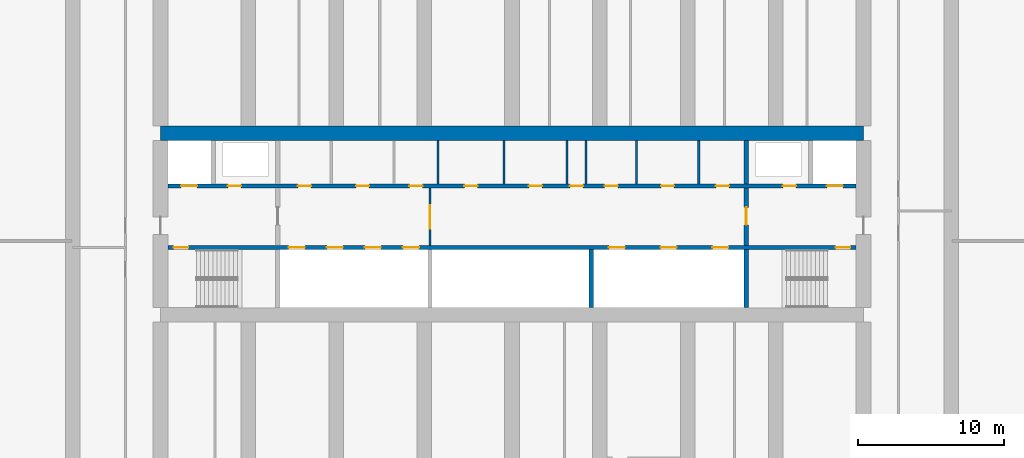
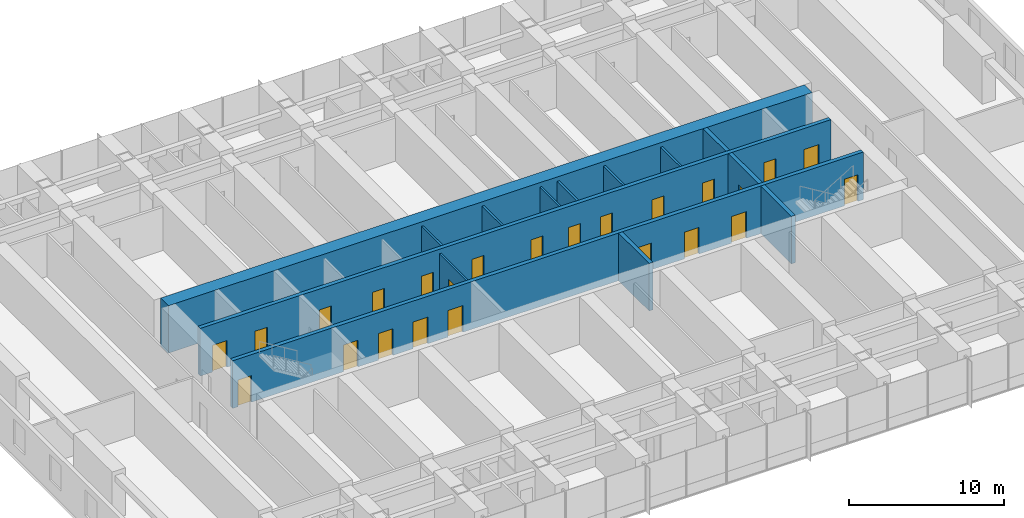
# One storey, part 13 of 23: 24 doors, 14 walls, 24 openings.
"""IFC4 building model written with IfcOpenShell, lengths in metres."""

from ifc_helpers import new_model, si_unit, direction, frame, frame_2d, origin, place, context, subcontext, project, spatial, rectangle, extrude, material, layer, layer_set, type_object, element, fill, save


model = new_model("IFC4")

# Units and contexts
model_context = context("Model", 3, precision=1e-05, world=origin(), true_north=direction((0.0, 1.0)))
body_context = subcontext(model_context, "Body", "Model", "MODEL_VIEW")
ifc_project = project(units=[si_unit("LENGTHUNIT", "METRE"), si_unit("AREAUNIT", "SQUARE_METRE"), si_unit("VOLUMEUNIT", "CUBIC_METRE"), si_unit("PLANEANGLEUNIT", "RADIAN"), si_unit("MASSUNIT", "GRAM", prefix="KILO")], contexts=[model_context])

# Site, building, storey
site_placement = place(None, origin())
site = spatial("IfcSite", under=ifc_project, at=site_placement, CompositionType="ELEMENT")
building_placement = place(site_placement, origin())
building = spatial("IfcBuilding", under=site, at=building_placement, Name="Orbita Commons", CompositionType="ELEMENT")
storey_placement = place(building_placement, frame((0.0, 0.0, 65.199951171875)))
storey = spatial("IfcBuildingStorey", under=building, at=storey_placement, Name="L16", CompositionType="ELEMENT", Elevation=65.199951171875)

# Wall, openings, doors
ifc_material_1 = material(Name="Concrete C50/60", Category="concrete")
ifc_layer_1 = layer(ifc_material_1, 0.300048828125)
ifc_layer_set_1 = layer_set([ifc_layer_1], Name="Concrete C50/60")
wall_type_1 = type_object("IfcWallType", Name="Core inner wall 300 C50/60", PredefinedType="SHEAR", material=ifc_layer_set_1)
wall_1_placement = place(storey_placement, frame((18.5, 30.39990234375, 0.0), z_axis=(0.0, 0.0, 1.0), x_axis=(1.0, 0.0, 0.0)))
wall_1 = element("IfcWall", 1, at=wall_1_placement, inside=storey, type_object=wall_type_1, Name="Lobby wall south L16", PredefinedType="SHEAR", context=body_context, shape_type="SweptSolid", body=[
    extrude(rectangle(XDim=47.0, YDim=0.300048828125, at=frame_2d((23.5, 0.0))), origin(), (0.0, 0.0, 1.0), 3.75),
])
opening_1_placement = place(wall_1_placement, frame((0.39990234375, 0.0, 0.0)))
opening_1 = element("IfcOpeningElement", 2, at=opening_1_placement, cuts=wall_1, Name="Opening D02", PredefinedType="OPENING", context=body_context, shape_type="SweptSolid", body=[
    extrude(rectangle(XDim=1.0, YDim=2.10009765625, at=frame_2d((0.5, 1.050048828125))), frame((0.0, 0.159912109375, 0.0), z_axis=(0.0, -1.0, 0.0), x_axis=(1.0, 0.0, 0.0)), (0.0, 0.0, 1.0), 0.320068359375),
])
opening_2_placement = place(wall_1_placement, frame((45.60009765625, 0.0, 0.0)))
opening_2 = element("IfcOpeningElement", 3, at=opening_2_placement, cuts=wall_1, Name="Opening D02", PredefinedType="OPENING", context=body_context, shape_type="SweptSolid", body=[
    extrude(rectangle(XDim=1.0, YDim=2.10009765625, at=frame_2d((0.5, 1.050048828125))), frame((0.0, 0.159912109375, 0.0), z_axis=(0.0, -1.0, 0.0), x_axis=(1.0, 0.0, 0.0)), (0.0, 0.0, 1.0), 0.320068359375),
])
opening_3_placement = place(wall_1_placement, frame((8.25, 0.0, 0.0)))
opening_3 = element("IfcOpeningElement", 4, at=opening_3_placement, cuts=wall_1, Name="Opening LD02", PredefinedType="OPENING", context=body_context, shape_type="SweptSolid", body=[
    extrude(rectangle(XDim=1.10009765625, YDim=2.10009765625, at=frame_2d((0.550048828125, 1.050048828125))), frame((0.0, 0.159912109375, 0.0), z_axis=(0.0, -1.0, 0.0), x_axis=(1.0, 0.0, 0.0)), (0.0, 0.0, 1.0), 0.320068359375),
])
opening_4_placement = place(wall_1_placement, frame((10.85009765625, 0.0, 0.0)))
opening_4 = element("IfcOpeningElement", 5, at=opening_4_placement, cuts=wall_1, Name="Opening LD02", PredefinedType="OPENING", context=body_context, shape_type="SweptSolid", body=[
    extrude(rectangle(XDim=1.10009765625, YDim=2.10009765625, at=frame_2d((0.550048828125, 1.050048828125))), frame((0.0, 0.159912109375, 0.0), z_axis=(0.0, -1.0, 0.0), x_axis=(1.0, 0.0, 0.0)), (0.0, 0.0, 1.0), 0.320068359375),
])
opening_5_placement = place(wall_1_placement, frame((13.449951171875, 0.0, 0.0)))
opening_5 = element("IfcOpeningElement", 6, at=opening_5_placement, cuts=wall_1, Name="Opening LD02", PredefinedType="OPENING", context=body_context, shape_type="SweptSolid", body=[
    extrude(rectangle(XDim=1.10009765625, YDim=2.10009765625, at=frame_2d((0.550048828125, 1.050048828125))), frame((0.0, 0.159912109375, 0.0), z_axis=(0.0, -1.0, 0.0), x_axis=(1.0, 0.0, 0.0)), (0.0, 0.0, 1.0), 0.320068359375),
])
opening_6_placement = place(wall_1_placement, frame((16.050048828125, 0.0, 0.0)))
opening_6 = element("IfcOpeningElement", 7, at=opening_6_placement, cuts=wall_1, Name="Opening LD02", PredefinedType="OPENING", context=body_context, shape_type="SweptSolid", body=[
    extrude(rectangle(XDim=1.10009765625, YDim=2.10009765625, at=frame_2d((0.550048828125, 1.050048828125))), frame((0.0, 0.159912109375, 0.0), z_axis=(0.0, -1.0, 0.0), x_axis=(1.0, 0.0, 0.0)), (0.0, 0.0, 1.0), 0.320068359375),
])
opening_7_placement = place(wall_1_placement, frame((30.11669921875, 0.0, 0.0)))
opening_7 = element("IfcOpeningElement", 8, at=opening_7_placement, cuts=wall_1, Name="Opening LD02", PredefinedType="OPENING", context=body_context, shape_type="SweptSolid", body=[
    extrude(rectangle(XDim=1.10009765625, YDim=2.10009765625, at=frame_2d((0.550048828125, 1.050048828125))), frame((0.0, 0.159912109375, 0.0), z_axis=(0.0, -1.0, 0.0), x_axis=(1.0, 0.0, 0.0)), (0.0, 0.0, 1.0), 0.320068359375),
])
opening_8_placement = place(wall_1_placement, frame((33.64990234375, 0.0, 0.0)))
opening_8 = element("IfcOpeningElement", 9, at=opening_8_placement, cuts=wall_1, Name="Opening LD02", PredefinedType="OPENING", context=body_context, shape_type="SweptSolid", body=[
    extrude(rectangle(XDim=1.10009765625, YDim=2.10009765625, at=frame_2d((0.550048828125, 1.050048828125))), frame((0.0, 0.159912109375, 0.0), z_axis=(0.0, -1.0, 0.0), x_axis=(1.0, 0.0, 0.0)), (0.0, 0.0, 1.0), 0.320068359375),
])
opening_9_placement = place(wall_1_placement, frame((37.183349609375, 0.0, 0.0)))
opening_9 = element("IfcOpeningElement", 10, at=opening_9_placement, cuts=wall_1, Name="Opening LD02", PredefinedType="OPENING", context=body_context, shape_type="SweptSolid", body=[
    extrude(rectangle(XDim=1.10009765625, YDim=2.10009765625, at=frame_2d((0.550048828125, 1.050048828125))), frame((0.0, 0.159912109375, 0.0), z_axis=(0.0, -1.0, 0.0), x_axis=(1.0, 0.0, 0.0)), (0.0, 0.0, 1.0), 0.320068359375),
])
ifc_material_2 = material(Name="Steel-faced fire door leaf", Category="steel")
door_type_1 = type_object("IfcDoorType", Name="Fire door 90 min 1000x2100", OperationType="SINGLE_SWING_LEFT", PredefinedType="DOOR", material=ifc_material_2)
door_1_placement = place(opening_1_placement, origin())
door_1 = element("IfcDoor", 11, at=door_1_placement, inside=storey, type_object=door_type_1, Name="Stair S1 door", OperationType="SINGLE_SWING_LEFT", OverallHeight=2.10009765625, OverallWidth=1.0, PredefinedType="DOOR", context=body_context, shape_type="SweptSolid", body=[
    extrude(rectangle(XDim=1.0, YDim=2.10009765625, at=frame_2d((0.5, 1.050048828125))), frame((0.0, 0.02490234375, 0.0), z_axis=(0.0, -1.0, 0.0), x_axis=(1.0, 0.0, 0.0)), (0.0, 0.0, 1.0), 0.050048828125),
])
fill(opening_1, door_1)
door_2_placement = place(opening_2_placement, origin())
door_2 = element("IfcDoor", 12, at=door_2_placement, inside=storey, type_object=door_type_1, Name="Stair S2 door", OperationType="SINGLE_SWING_LEFT", OverallHeight=2.10009765625, OverallWidth=1.0, PredefinedType="DOOR", context=body_context, shape_type="SweptSolid", body=[
    extrude(rectangle(XDim=1.0, YDim=2.10009765625, at=frame_2d((0.5, 1.050048828125))), frame((0.0, 0.02490234375, 0.0), z_axis=(0.0, -1.0, 0.0), x_axis=(1.0, 0.0, 0.0)), (0.0, 0.0, 1.0), 0.050048828125),
])
fill(opening_2, door_2)
ifc_material_3 = material(Name="Steel-faced fire door leaf", Category="steel")
door_type_2 = type_object("IfcDoorType", Name="Lift landing door 1100x2100", OperationType="DOUBLE_DOOR_SLIDING", PredefinedType="DOOR", material=ifc_material_3)
door_3_placement = place(opening_3_placement, origin())
door_3 = element("IfcDoor", 13, at=door_3_placement, inside=storey, type_object=door_type_2, Name="Lift P11 landing door", OperationType="DOUBLE_DOOR_SLIDING", OverallHeight=2.10009765625, OverallWidth=1.10009765625, PredefinedType="DOOR", context=body_context, shape_type="SweptSolid", body=[
    extrude(rectangle(XDim=1.10009765625, YDim=2.10009765625, at=frame_2d((0.550048828125, 1.050048828125))), frame((0.0, 0.02490234375, 0.0), z_axis=(0.0, -1.0, 0.0), x_axis=(1.0, 0.0, 0.0)), (0.0, 0.0, 1.0), 0.050048828125),
])
fill(opening_3, door_3)
door_4_placement = place(opening_4_placement, origin())
door_4 = element("IfcDoor", 14, at=door_4_placement, inside=storey, type_object=door_type_2, Name="Lift P12 landing door", OperationType="DOUBLE_DOOR_SLIDING", OverallHeight=2.10009765625, OverallWidth=1.10009765625, PredefinedType="DOOR", context=body_context, shape_type="SweptSolid", body=[
    extrude(rectangle(XDim=1.10009765625, YDim=2.10009765625, at=frame_2d((0.550048828125, 1.050048828125))), frame((0.0, 0.02490234375, 0.0), z_axis=(0.0, -1.0, 0.0), x_axis=(1.0, 0.0, 0.0)), (0.0, 0.0, 1.0), 0.050048828125),
])
fill(opening_4, door_4)
door_5_placement = place(opening_5_placement, origin())
door_5 = element("IfcDoor", 15, at=door_5_placement, inside=storey, type_object=door_type_2, Name="Lift P13 landing door", OperationType="DOUBLE_DOOR_SLIDING", OverallHeight=2.10009765625, OverallWidth=1.10009765625, PredefinedType="DOOR", context=body_context, shape_type="SweptSolid", body=[
    extrude(rectangle(XDim=1.10009765625, YDim=2.10009765625, at=frame_2d((0.550048828125, 1.050048828125))), frame((0.0, 0.02490234375, 0.0), z_axis=(0.0, -1.0, 0.0), x_axis=(1.0, 0.0, 0.0)), (0.0, 0.0, 1.0), 0.050048828125),
])
fill(opening_5, door_5)
door_6_placement = place(opening_6_placement, origin())
door_6 = element("IfcDoor", 16, at=door_6_placement, inside=storey, type_object=door_type_2, Name="Lift P14 landing door", OperationType="DOUBLE_DOOR_SLIDING", OverallHeight=2.10009765625, OverallWidth=1.10009765625, PredefinedType="DOOR", context=body_context, shape_type="SweptSolid", body=[
    extrude(rectangle(XDim=1.10009765625, YDim=2.10009765625, at=frame_2d((0.550048828125, 1.050048828125))), frame((0.0, 0.02490234375, 0.0), z_axis=(0.0, -1.0, 0.0), x_axis=(1.0, 0.0, 0.0)), (0.0, 0.0, 1.0), 0.050048828125),
])
fill(opening_6, door_6)
door_7_placement = place(opening_7_placement, origin())
door_7 = element("IfcDoor", 17, at=door_7_placement, inside=storey, type_object=door_type_2, Name="Lift SV1 landing door", OperationType="DOUBLE_DOOR_SLIDING", OverallHeight=2.10009765625, OverallWidth=1.10009765625, PredefinedType="DOOR", context=body_context, shape_type="SweptSolid", body=[
    extrude(rectangle(XDim=1.10009765625, YDim=2.10009765625, at=frame_2d((0.550048828125, 1.050048828125))), frame((0.0, 0.02490234375, 0.0), z_axis=(0.0, -1.0, 0.0), x_axis=(1.0, 0.0, 0.0)), (0.0, 0.0, 1.0), 0.050048828125),
])
fill(opening_7, door_7)
door_8_placement = place(opening_8_placement, origin())
door_8 = element("IfcDoor", 18, at=door_8_placement, inside=storey, type_object=door_type_2, Name="Lift SV2 landing door", OperationType="DOUBLE_DOOR_SLIDING", OverallHeight=2.10009765625, OverallWidth=1.10009765625, PredefinedType="DOOR", context=body_context, shape_type="SweptSolid", body=[
    extrude(rectangle(XDim=1.10009765625, YDim=2.10009765625, at=frame_2d((0.550048828125, 1.050048828125))), frame((0.0, 0.02490234375, 0.0), z_axis=(0.0, -1.0, 0.0), x_axis=(1.0, 0.0, 0.0)), (0.0, 0.0, 1.0), 0.050048828125),
])
fill(opening_8, door_8)
door_9_placement = place(opening_9_placement, origin())
door_9 = element("IfcDoor", 19, at=door_9_placement, inside=storey, type_object=door_type_2, Name="Lift SV3 landing door", OperationType="DOUBLE_DOOR_SLIDING", OverallHeight=2.10009765625, OverallWidth=1.10009765625, PredefinedType="DOOR", context=body_context, shape_type="SweptSolid", body=[
    extrude(rectangle(XDim=1.10009765625, YDim=2.10009765625, at=frame_2d((0.550048828125, 1.050048828125))), frame((0.0, 0.02490234375, 0.0), z_axis=(0.0, -1.0, 0.0), x_axis=(1.0, 0.0, 0.0)), (0.0, 0.0, 1.0), 0.050048828125),
])
fill(opening_9, door_9)

wall_2_placement = place(storey_placement, frame((18.5, 34.60009765625, 0.0), z_axis=(0.0, 0.0, 1.0), x_axis=(1.0, 0.0, 0.0)))
wall_2 = element("IfcWall", 20, at=wall_2_placement, inside=storey, type_object=wall_type_1, Name="Lobby wall north L16", PredefinedType="SHEAR", context=body_context, shape_type="SweptSolid", body=[
    extrude(rectangle(XDim=47.0, YDim=0.300048828125, at=frame_2d((23.5, 0.0))), origin(), (0.0, 0.0, 1.0), 3.75),
])
opening_10_placement = place(wall_2_placement, frame((0.89990234375, 0.0, 0.0)))
opening_10 = element("IfcOpeningElement", 21, at=opening_10_placement, cuts=wall_2, Name="Opening LD01", PredefinedType="OPENING", context=body_context, shape_type="SweptSolid", body=[
    extrude(rectangle(XDim=1.10009765625, YDim=2.10009765625, at=frame_2d((0.550048828125, 1.050048828125))), frame((0.0, 0.159912109375, 0.0), z_axis=(0.0, -1.0, 0.0), x_axis=(1.0, 0.0, 0.0)), (0.0, 0.0, 1.0), 0.320068359375),
])
opening_11_placement = place(wall_2_placement, frame((45.0, 0.0, 0.0)))
opening_11 = element("IfcOpeningElement", 22, at=opening_11_placement, cuts=wall_2, Name="Opening LD01", PredefinedType="OPENING", context=body_context, shape_type="SweptSolid", body=[
    extrude(rectangle(XDim=1.10009765625, YDim=2.10009765625, at=frame_2d((0.550048828125, 1.050048828125))), frame((0.0, 0.159912109375, 0.0), z_axis=(0.0, -1.0, 0.0), x_axis=(1.0, 0.0, 0.0)), (0.0, 0.0, 1.0), 0.320068359375),
])
opening_12_placement = place(wall_2_placement, frame((4.10009765625, 0.0, 0.0)))
opening_12 = element("IfcOpeningElement", 23, at=opening_12_placement, cuts=wall_2, Name="Opening D03", PredefinedType="OPENING", context=body_context, shape_type="SweptSolid", body=[
    extrude(rectangle(XDim=0.89990234375, YDim=2.10009765625, at=frame_2d((0.449951171875, 1.050048828125))), frame((0.0, 0.159912109375, 0.0), z_axis=(0.0, -1.0, 0.0), x_axis=(1.0, 0.0, 0.0)), (0.0, 0.0, 1.0), 0.320068359375),
])
opening_13_placement = place(wall_2_placement, frame((42.0, 0.0, 0.0)))
opening_13 = element("IfcOpeningElement", 24, at=opening_13_placement, cuts=wall_2, Name="Opening D03", PredefinedType="OPENING", context=body_context, shape_type="SweptSolid", body=[
    extrude(rectangle(XDim=0.89990234375, YDim=2.10009765625, at=frame_2d((0.449951171875, 1.050048828125))), frame((0.0, 0.159912109375, 0.0), z_axis=(0.0, -1.0, 0.0), x_axis=(1.0, 0.0, 0.0)), (0.0, 0.0, 1.0), 0.320068359375),
])
opening_14_placement = place(wall_2_placement, frame((8.87548828125, 0.0, 0.0)))
opening_14 = element("IfcOpeningElement", 25, at=opening_14_placement, cuts=wall_2, Name="Opening D05", PredefinedType="OPENING", context=body_context, shape_type="SweptSolid", body=[
    extrude(rectangle(XDim=0.89990234375, YDim=2.10009765625, at=frame_2d((0.449951171875, 1.050048828125))), frame((0.0, 0.159912109375, 0.0), z_axis=(0.0, -1.0, 0.0), x_axis=(1.0, 0.0, 0.0)), (0.0, 0.0, 1.0), 0.320068359375),
])
opening_15_placement = place(wall_2_placement, frame((12.8486328125, 0.0, 0.0)))
opening_15 = element("IfcOpeningElement", 26, at=opening_15_placement, cuts=wall_2, Name="Opening D03", PredefinedType="OPENING", context=body_context, shape_type="SweptSolid", body=[
    extrude(rectangle(XDim=0.89990234375, YDim=2.10009765625, at=frame_2d((0.449951171875, 1.050048828125))), frame((0.0, 0.159912109375, 0.0), z_axis=(0.0, -1.0, 0.0), x_axis=(1.0, 0.0, 0.0)), (0.0, 0.0, 1.0), 0.320068359375),
])
opening_16_placement = place(wall_2_placement, frame((16.496337890625, 0.0, 0.0)))
opening_16 = element("IfcOpeningElement", 27, at=opening_16_placement, cuts=wall_2, Name="Opening D03", PredefinedType="OPENING", context=body_context, shape_type="SweptSolid", body=[
    extrude(rectangle(XDim=0.89990234375, YDim=2.10009765625, at=frame_2d((0.449951171875, 1.050048828125))), frame((0.0, 0.159912109375, 0.0), z_axis=(0.0, -1.0, 0.0), x_axis=(1.0, 0.0, 0.0)), (0.0, 0.0, 1.0), 0.320068359375),
])
opening_17_placement = place(wall_2_placement, frame((20.254638671875, 0.0, 0.0)))
opening_17 = element("IfcOpeningElement", 28, at=opening_17_placement, cuts=wall_2, Name="Opening D03", PredefinedType="OPENING", context=body_context, shape_type="SweptSolid", body=[
    extrude(rectangle(XDim=0.89990234375, YDim=2.10009765625, at=frame_2d((0.449951171875, 1.050048828125))), frame((0.0, 0.159912109375, 0.0), z_axis=(0.0, -1.0, 0.0), x_axis=(1.0, 0.0, 0.0)), (0.0, 0.0, 1.0), 0.320068359375),
])
opening_18_placement = place(wall_2_placement, frame((24.66064453125, 0.0, 0.0)))
opening_18 = element("IfcOpeningElement", 29, at=opening_18_placement, cuts=wall_2, Name="Opening D03", PredefinedType="OPENING", context=body_context, shape_type="SweptSolid", body=[
    extrude(rectangle(XDim=0.89990234375, YDim=2.10009765625, at=frame_2d((0.449951171875, 1.050048828125))), frame((0.0, 0.159912109375, 0.0), z_axis=(0.0, -1.0, 0.0), x_axis=(1.0, 0.0, 0.0)), (0.0, 0.0, 1.0), 0.320068359375),
])
opening_19_placement = place(wall_2_placement, frame((27.45849609375, 0.0, 0.0)))
opening_19 = element("IfcOpeningElement", 30, at=opening_19_placement, cuts=wall_2, Name="Opening D03", PredefinedType="OPENING", context=body_context, shape_type="SweptSolid", body=[
    extrude(rectangle(XDim=0.89990234375, YDim=2.10009765625, at=frame_2d((0.449951171875, 1.050048828125))), frame((0.0, 0.159912109375, 0.0), z_axis=(0.0, -1.0, 0.0), x_axis=(1.0, 0.0, 0.0)), (0.0, 0.0, 1.0), 0.320068359375),
])
opening_20_placement = place(wall_2_placement, frame((29.830810546875, 0.0, 0.0)))
opening_20 = element("IfcOpeningElement", 31, at=opening_20_placement, cuts=wall_2, Name="Opening D03", PredefinedType="OPENING", context=body_context, shape_type="SweptSolid", body=[
    extrude(rectangle(XDim=0.89990234375, YDim=2.10009765625, at=frame_2d((0.449951171875, 1.050048828125))), frame((0.0, 0.159912109375, 0.0), z_axis=(0.0, -1.0, 0.0), x_axis=(1.0, 0.0, 0.0)), (0.0, 0.0, 1.0), 0.320068359375),
])
opening_21_placement = place(wall_2_placement, frame((33.680419921875, 0.0, 0.0)))
opening_21 = element("IfcOpeningElement", 32, at=opening_21_placement, cuts=wall_2, Name="Opening D05", PredefinedType="OPENING", context=body_context, shape_type="SweptSolid", body=[
    extrude(rectangle(XDim=0.89990234375, YDim=2.10009765625, at=frame_2d((0.449951171875, 1.050048828125))), frame((0.0, 0.159912109375, 0.0), z_axis=(0.0, -1.0, 0.0), x_axis=(1.0, 0.0, 0.0)), (0.0, 0.0, 1.0), 0.320068359375),
])
opening_22_placement = place(wall_2_placement, frame((37.428955078125, 0.0, 0.0)))
opening_22 = element("IfcOpeningElement", 33, at=opening_22_placement, cuts=wall_2, Name="Opening D03", PredefinedType="OPENING", context=body_context, shape_type="SweptSolid", body=[
    extrude(rectangle(XDim=0.89990234375, YDim=2.10009765625, at=frame_2d((0.449951171875, 1.050048828125))), frame((0.0, 0.159912109375, 0.0), z_axis=(0.0, -1.0, 0.0), x_axis=(1.0, 0.0, 0.0)), (0.0, 0.0, 1.0), 0.320068359375),
])
ifc_material_4 = material(Name="Steel-faced fire door leaf", Category="steel")
door_type_3 = type_object("IfcDoorType", Name="Firefighting lift landing door 1100x2100", OperationType="DOUBLE_DOOR_SLIDING", PredefinedType="DOOR", material=ifc_material_4)
door_10_placement = place(opening_10_placement, origin())
door_10 = element("IfcDoor", 34, at=door_10_placement, inside=storey, type_object=door_type_3, Name="Firefighting lift FL1 landing door", OperationType="DOUBLE_DOOR_SLIDING", OverallHeight=2.10009765625, OverallWidth=1.10009765625, PredefinedType="DOOR", context=body_context, shape_type="SweptSolid", body=[
    extrude(rectangle(XDim=1.10009765625, YDim=2.10009765625, at=frame_2d((0.550048828125, 1.050048828125))), frame((0.0, 0.02490234375, 0.0), z_axis=(0.0, -1.0, 0.0), x_axis=(1.0, 0.0, 0.0)), (0.0, 0.0, 1.0), 0.050048828125),
])
fill(opening_10, door_10)
door_11_placement = place(opening_11_placement, origin())
door_11 = element("IfcDoor", 35, at=door_11_placement, inside=storey, type_object=door_type_3, Name="Firefighting lift FL2 landing door", OperationType="DOUBLE_DOOR_SLIDING", OverallHeight=2.10009765625, OverallWidth=1.10009765625, PredefinedType="DOOR", context=body_context, shape_type="SweptSolid", body=[
    extrude(rectangle(XDim=1.10009765625, YDim=2.10009765625, at=frame_2d((0.550048828125, 1.050048828125))), frame((0.0, 0.02490234375, 0.0), z_axis=(0.0, -1.0, 0.0), x_axis=(1.0, 0.0, 0.0)), (0.0, 0.0, 1.0), 0.050048828125),
])
fill(opening_11, door_11)
ifc_material_5 = material(Name="Steel-faced fire door leaf", Category="steel")
door_type_4 = type_object("IfcDoorType", Name="Service door 20 min 900x2100", OperationType="SINGLE_SWING_LEFT", PredefinedType="DOOR", material=ifc_material_5)
door_12_placement = place(opening_14_placement, origin())
door_12 = element("IfcDoor", 36, at=door_12_placement, inside=storey, type_object=door_type_4, Name="Accessible WC door", OperationType="SINGLE_SWING_LEFT", OverallHeight=2.10009765625, OverallWidth=0.89990234375, PredefinedType="DOOR", context=body_context, shape_type="SweptSolid", body=[
    extrude(rectangle(XDim=0.89990234375, YDim=2.10009765625, at=frame_2d((0.449951171875, 1.050048828125))), frame((0.0, 0.02490234375, 0.0), z_axis=(0.0, -1.0, 0.0), x_axis=(1.0, 0.0, 0.0)), (0.0, 0.0, 1.0), 0.050048828125),
])
fill(opening_14, door_12)
door_13_placement = place(opening_21_placement, origin())
door_13 = element("IfcDoor", 37, at=door_13_placement, inside=storey, type_object=door_type_4, Name="Guest pantry door", OperationType="SINGLE_SWING_LEFT", OverallHeight=2.10009765625, OverallWidth=0.89990234375, PredefinedType="DOOR", context=body_context, shape_type="SweptSolid", body=[
    extrude(rectangle(XDim=0.89990234375, YDim=2.10009765625, at=frame_2d((0.449951171875, 1.050048828125))), frame((0.0, 0.02490234375, 0.0), z_axis=(0.0, -1.0, 0.0), x_axis=(1.0, 0.0, 0.0)), (0.0, 0.0, 1.0), 0.050048828125),
])
fill(opening_21, door_13)
ifc_material_6 = material(Name="Steel-faced fire door leaf", Category="steel")
door_type_5 = type_object("IfcDoorType", Name="Shaft access door 90 min 900x2100", OperationType="SINGLE_SWING_LEFT", PredefinedType="DOOR", material=ifc_material_6)
door_14_placement = place(opening_12_placement, origin())
door_14 = element("IfcDoor", 38, at=door_14_placement, inside=storey, type_object=door_type_5, Name="Riser door west", OperationType="SINGLE_SWING_LEFT", OverallHeight=2.10009765625, OverallWidth=0.89990234375, PredefinedType="DOOR", context=body_context, shape_type="SweptSolid", body=[
    extrude(rectangle(XDim=0.89990234375, YDim=2.10009765625, at=frame_2d((0.449951171875, 1.050048828125))), frame((0.0, 0.02490234375, 0.0), z_axis=(0.0, -1.0, 0.0), x_axis=(1.0, 0.0, 0.0)), (0.0, 0.0, 1.0), 0.050048828125),
])
fill(opening_12, door_14)
door_15_placement = place(opening_13_placement, origin())
door_15 = element("IfcDoor", 39, at=door_15_placement, inside=storey, type_object=door_type_5, Name="Riser door east", OperationType="SINGLE_SWING_LEFT", OverallHeight=2.10009765625, OverallWidth=0.89990234375, PredefinedType="DOOR", context=body_context, shape_type="SweptSolid", body=[
    extrude(rectangle(XDim=0.89990234375, YDim=2.10009765625, at=frame_2d((0.449951171875, 1.050048828125))), frame((0.0, 0.02490234375, 0.0), z_axis=(0.0, -1.0, 0.0), x_axis=(1.0, 0.0, 0.0)), (0.0, 0.0, 1.0), 0.050048828125),
])
fill(opening_13, door_15)
door_16_placement = place(opening_15_placement, origin())
door_16 = element("IfcDoor", 40, at=door_16_placement, inside=storey, type_object=door_type_5, Name="Refuse chute room door", OperationType="SINGLE_SWING_LEFT", OverallHeight=2.10009765625, OverallWidth=0.89990234375, PredefinedType="DOOR", context=body_context, shape_type="SweptSolid", body=[
    extrude(rectangle(XDim=0.89990234375, YDim=2.10009765625, at=frame_2d((0.449951171875, 1.050048828125))), frame((0.0, 0.02490234375, 0.0), z_axis=(0.0, -1.0, 0.0), x_axis=(1.0, 0.0, 0.0)), (0.0, 0.0, 1.0), 0.050048828125),
])
fill(opening_15, door_16)
door_17_placement = place(opening_16_placement, origin())
door_17 = element("IfcDoor", 41, at=door_17_placement, inside=storey, type_object=door_type_5, Name="Electrical riser room door", OperationType="SINGLE_SWING_LEFT", OverallHeight=2.10009765625, OverallWidth=0.89990234375, PredefinedType="DOOR", context=body_context, shape_type="SweptSolid", body=[
    extrude(rectangle(XDim=0.89990234375, YDim=2.10009765625, at=frame_2d((0.449951171875, 1.050048828125))), frame((0.0, 0.02490234375, 0.0), z_axis=(0.0, -1.0, 0.0), x_axis=(1.0, 0.0, 0.0)), (0.0, 0.0, 1.0), 0.050048828125),
])
fill(opening_16, door_17)
door_18_placement = place(opening_17_placement, origin())
door_18 = element("IfcDoor", 42, at=door_18_placement, inside=storey, type_object=door_type_5, Name="Storage room door", OperationType="SINGLE_SWING_LEFT", OverallHeight=2.10009765625, OverallWidth=0.89990234375, PredefinedType="DOOR", context=body_context, shape_type="SweptSolid", body=[
    extrude(rectangle(XDim=0.89990234375, YDim=2.10009765625, at=frame_2d((0.449951171875, 1.050048828125))), frame((0.0, 0.02490234375, 0.0), z_axis=(0.0, -1.0, 0.0), x_axis=(1.0, 0.0, 0.0)), (0.0, 0.0, 1.0), 0.050048828125),
])
fill(opening_17, door_18)
door_19_placement = place(opening_18_placement, origin())
door_19 = element("IfcDoor", 43, at=door_19_placement, inside=storey, type_object=door_type_5, Name="Communications room door", OperationType="SINGLE_SWING_LEFT", OverallHeight=2.10009765625, OverallWidth=0.89990234375, PredefinedType="DOOR", context=body_context, shape_type="SweptSolid", body=[
    extrude(rectangle(XDim=0.89990234375, YDim=2.10009765625, at=frame_2d((0.449951171875, 1.050048828125))), frame((0.0, 0.02490234375, 0.0), z_axis=(0.0, -1.0, 0.0), x_axis=(1.0, 0.0, 0.0)), (0.0, 0.0, 1.0), 0.050048828125),
])
fill(opening_18, door_19)
door_20_placement = place(opening_19_placement, origin())
door_20 = element("IfcDoor", 44, at=door_20_placement, inside=storey, type_object=door_type_5, Name="Stair pressurisation duct door", OperationType="SINGLE_SWING_LEFT", OverallHeight=2.10009765625, OverallWidth=0.89990234375, PredefinedType="DOOR", context=body_context, shape_type="SweptSolid", body=[
    extrude(rectangle(XDim=0.89990234375, YDim=2.10009765625, at=frame_2d((0.449951171875, 1.050048828125))), frame((0.0, 0.02490234375, 0.0), z_axis=(0.0, -1.0, 0.0), x_axis=(1.0, 0.0, 0.0)), (0.0, 0.0, 1.0), 0.050048828125),
])
fill(opening_19, door_20)
door_21_placement = place(opening_20_placement, origin())
door_21 = element("IfcDoor", 45, at=door_21_placement, inside=storey, type_object=door_type_5, Name="IT room door", OperationType="SINGLE_SWING_LEFT", OverallHeight=2.10009765625, OverallWidth=0.89990234375, PredefinedType="DOOR", context=body_context, shape_type="SweptSolid", body=[
    extrude(rectangle(XDim=0.89990234375, YDim=2.10009765625, at=frame_2d((0.449951171875, 1.050048828125))), frame((0.0, 0.02490234375, 0.0), z_axis=(0.0, -1.0, 0.0), x_axis=(1.0, 0.0, 0.0)), (0.0, 0.0, 1.0), 0.050048828125),
])
fill(opening_20, door_21)
door_22_placement = place(opening_22_placement, origin())
door_22 = element("IfcDoor", 46, at=door_22_placement, inside=storey, type_object=door_type_5, Name="Cleaners store door", OperationType="SINGLE_SWING_LEFT", OverallHeight=2.10009765625, OverallWidth=0.89990234375, PredefinedType="DOOR", context=body_context, shape_type="SweptSolid", body=[
    extrude(rectangle(XDim=0.89990234375, YDim=2.10009765625, at=frame_2d((0.449951171875, 1.050048828125))), frame((0.0, 0.02490234375, 0.0), z_axis=(0.0, -1.0, 0.0), x_axis=(1.0, 0.0, 0.0)), (0.0, 0.0, 1.0), 0.050048828125),
])
fill(opening_22, door_22)

# Wall
wall_3_placement = place(storey_placement, frame((58.0, 26.300048828125, 0.0), z_axis=(0.0, 0.0, 1.0), x_axis=(0.0, 1.0, 0.0)))
element("IfcWall", 47, at=wall_3_placement, inside=storey, type_object=wall_type_1, Name="Stair S2 wall L16", PredefinedType="SHEAR", context=body_context, shape_type="SweptSolid", body=[
    extrude(rectangle(XDim=3.949951171875, YDim=0.300048828125, at=frame_2d((1.97509765625, 0.0))), origin(), (0.0, 0.0, 1.0), 3.75),
])

# Wall, opening, door
wall_4_placement = place(storey_placement, frame((58.0, 30.550048828125, 0.0), z_axis=(0.0, 0.0, 1.0), x_axis=(0.0, 1.0, 0.0)))
wall_4 = element("IfcWall", 48, at=wall_4_placement, inside=storey, type_object=wall_type_1, Name="Firefighting lobby wall east L16", PredefinedType="SHEAR", context=body_context, shape_type="SweptSolid", body=[
    extrude(rectangle(XDim=3.89990234375, YDim=0.300048828125, at=frame_2d((1.949951171875, 0.0))), origin(), (0.0, 0.0, 1.0), 3.75),
])
opening_23_placement = place(wall_4_placement, frame((1.39990234375, 0.0, 0.0)))
opening_23 = element("IfcOpeningElement", 49, at=opening_23_placement, cuts=wall_4, Name="Opening D04", PredefinedType="OPENING", context=body_context, shape_type="SweptSolid", body=[
    extrude(rectangle(XDim=1.199951171875, YDim=2.10009765625, at=frame_2d((0.60009765625, 1.050048828125))), frame((0.0, 0.159912109375, 0.0), z_axis=(0.0, -1.0, 0.0), x_axis=(1.0, 0.0, 0.0)), (0.0, 0.0, 1.0), 0.320068359375),
])
ifc_material_7 = material(Name="Steel-faced fire door leaf", Category="steel")
door_type_6 = type_object("IfcDoorType", Name="Service door 20 min 1200x2100", OperationType="SINGLE_SWING_LEFT", PredefinedType="DOOR", material=ifc_material_7)
door_23_placement = place(opening_23_placement, origin())
door_23 = element("IfcDoor", 50, at=door_23_placement, inside=storey, type_object=door_type_6, Name="Lift lobby door east", OperationType="SINGLE_SWING_LEFT", OverallHeight=2.10009765625, OverallWidth=1.199951171875, PredefinedType="DOOR", context=body_context, shape_type="SweptSolid", body=[
    extrude(rectangle(XDim=1.199951171875, YDim=2.10009765625, at=frame_2d((0.60009765625, 1.050048828125))), frame((0.0, 0.02490234375, 0.0), z_axis=(0.0, -1.0, 0.0), x_axis=(1.0, 0.0, 0.0)), (0.0, 0.0, 1.0), 0.050048828125),
])
fill(opening_23, door_23)

# Walls
wall_5_placement = place(storey_placement, frame((58.0, 34.75, 0.0), z_axis=(0.0, 0.0, 1.0), x_axis=(0.0, 1.0, 0.0)))
element("IfcWall", 51, at=wall_5_placement, inside=storey, type_object=wall_type_1, Name="Riser wall east L16", PredefinedType="SHEAR", context=body_context, shape_type="SweptSolid", body=[
    extrude(rectangle(XDim=2.949951171875, YDim=0.300048828125, at=frame_2d((1.47509765625, 0.0))), origin(), (0.0, 0.0, 1.0), 3.75),
])
wall_6_placement = place(storey_placement, frame((47.39990234375, 26.300048828125, 0.0), z_axis=(0.0, 0.0, 1.0), x_axis=(0.0, 1.0, 0.0)))
element("IfcWall", 52, at=wall_6_placement, inside=storey, type_object=wall_type_1, Name="Hoistway division wall L16", PredefinedType="SHEAR", context=body_context, shape_type="SweptSolid", body=[
    extrude(rectangle(XDim=3.949951171875, YDim=0.300048828125, at=frame_2d((1.97509765625, 0.0))), origin(), (0.0, 0.0, 1.0), 3.75),
])

# Wall, opening, door
ifc_material_8 = material(Name="Concrete blockwork", Category="masonry")
ifc_layer_2 = layer(ifc_material_8, 0.14990234375)
ifc_layer_set_2 = layer_set([ifc_layer_2], Name="Concrete blockwork")
wall_type_2 = type_object("IfcWallType", Name="Core partition 150 blockwork", PredefinedType="SOLIDWALL", material=ifc_layer_set_2)
wall_7_placement = place(storey_placement, frame((36.39990234375, 30.550048828125, 0.0), z_axis=(0.0, 0.0, 1.0), x_axis=(0.0, 1.0, 0.0)))
wall_7 = element("IfcWall", 53, at=wall_7_placement, inside=storey, type_object=wall_type_2, Name="Core partition 150 blockwork L16", PredefinedType="SOLIDWALL", context=body_context, shape_type="SweptSolid", body=[
    extrude(rectangle(XDim=3.89990234375, YDim=0.14990234375, at=frame_2d((1.949951171875, 0.0))), origin(), (0.0, 0.0, 1.0), 3.400146484375),
])
opening_24_placement = place(wall_7_placement, frame((1.14990234375, 0.0, 0.0)))
opening_24 = element("IfcOpeningElement", 54, at=opening_24_placement, cuts=wall_7, Name="Opening D10", PredefinedType="OPENING", context=body_context, shape_type="SweptSolid", body=[
    extrude(rectangle(XDim=1.60009765625, YDim=2.10009765625, at=frame_2d((0.800048828125, 1.050048828125))), frame((0.0, 0.0849609375, 0.0), z_axis=(0.0, -1.0, 0.0), x_axis=(1.0, 0.0, 0.0)), (0.0, 0.0, 1.0), 0.169921875),
])
ifc_material_9 = material(Name="Steel-faced fire door leaf", Category="steel")
door_type_7 = type_object("IfcDoorType", Name="Double corridor door 20 min 1600x2100", OperationType="DOUBLE_DOOR_SINGLE_SWING", PredefinedType="DOOR", material=ifc_material_9)
door_24_placement = place(opening_24_placement, origin())
door_24 = element("IfcDoor", 55, at=door_24_placement, inside=storey, type_object=door_type_7, Name="Lift lobby screen doors", OperationType="DOUBLE_DOOR_SINGLE_SWING", OverallHeight=2.10009765625, OverallWidth=1.60009765625, PredefinedType="DOOR", context=body_context, shape_type="SweptSolid", body=[
    extrude(rectangle(XDim=1.60009765625, YDim=2.10009765625, at=frame_2d((0.800048828125, 1.050048828125))), frame((0.0, 0.02490234375, 0.0), z_axis=(0.0, -1.0, 0.0), x_axis=(1.0, 0.0, 0.0)), (0.0, 0.0, 1.0), 0.050048828125),
])
fill(opening_24, door_24)

# Walls
for number, where, z_axis, x_axis, name in (
    (56, (36.9462890625, 34.75, 0.0), (0.0, 0.0, 1.0), (0.0, 1.0, 0.0), "Core partition 150 blockwork L16"),
    (57, (41.463134765625, 34.75, 0.0), (0.0, 0.0, 1.0), (0.0, 1.0, 0.0), "Core partition 150 blockwork L16"),
    (58, (45.75830078125, 34.75, 0.0), (0.0, 0.0, 1.0), (0.0, 1.0, 0.0), "Core partition 150 blockwork L16"),
    (59, (47.058349609375, 34.75, 0.0), (0.0, 0.0, 1.0), (0.0, 1.0, 0.0), "Core partition 150 blockwork L16"),
    (60, (50.5029296875, 34.75, 0.0), (0.0, 0.0, 1.0), (0.0, 1.0, 0.0), "Core partition 150 blockwork L16"),
    (61, (54.758056640625, 34.75, 0.0), (0.0, 0.0, 1.0), (0.0, 1.0, 0.0), "Core partition 150 blockwork L16"),
):
    element("IfcWall", number, at=place(storey_placement, frame(where, z_axis=z_axis, x_axis=x_axis)), inside=storey, type_object=wall_type_2, Name=name, PredefinedType="SOLIDWALL", context=body_context, shape_type="SweptSolid", body=[
        extrude(rectangle(XDim=2.949951171875, YDim=0.14990234375, at=frame_2d((1.47509765625, 0.0))), origin(), (0.0, 0.0, 1.0), 3.400146484375),
    ])
ifc_material_10 = material(Name="Concrete C50/60", Category="concrete")
ifc_layer_3 = layer(ifc_material_10, 1.0)
ifc_layer_set_3 = layer_set([ifc_layer_3], Name="Concrete C50/60")
wall_type_3 = type_object("IfcWallType", Name="Core wall 1000 C50/60", PredefinedType="SHEAR", material=ifc_layer_set_3)
wall_8_placement = place(storey_placement, frame((18.0, 38.199951171875, 0.0), z_axis=(0.0, 0.0, 1.0), x_axis=(1.0, 0.0, 0.0)))
element("IfcWall", 62, at=wall_8_placement, inside=storey, type_object=wall_type_3, Name="Core spine wall north L16", PredefinedType="SHEAR", context=body_context, shape_type="SweptSolid", body=[
    extrude(rectangle(XDim=48.0, YDim=1.0, at=frame_2d((24.0, 0.0))), origin(), (0.0, 0.0, 1.0), 3.75),
])

save(model, "model.ifc")
